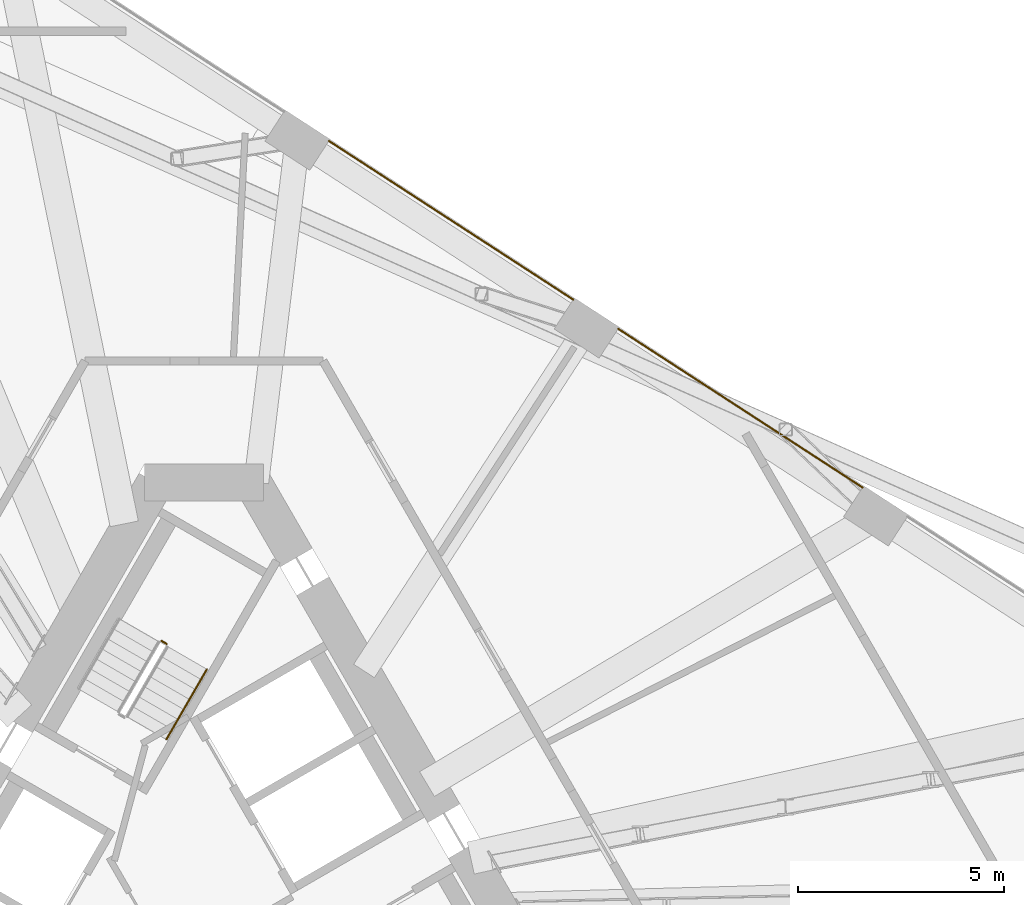
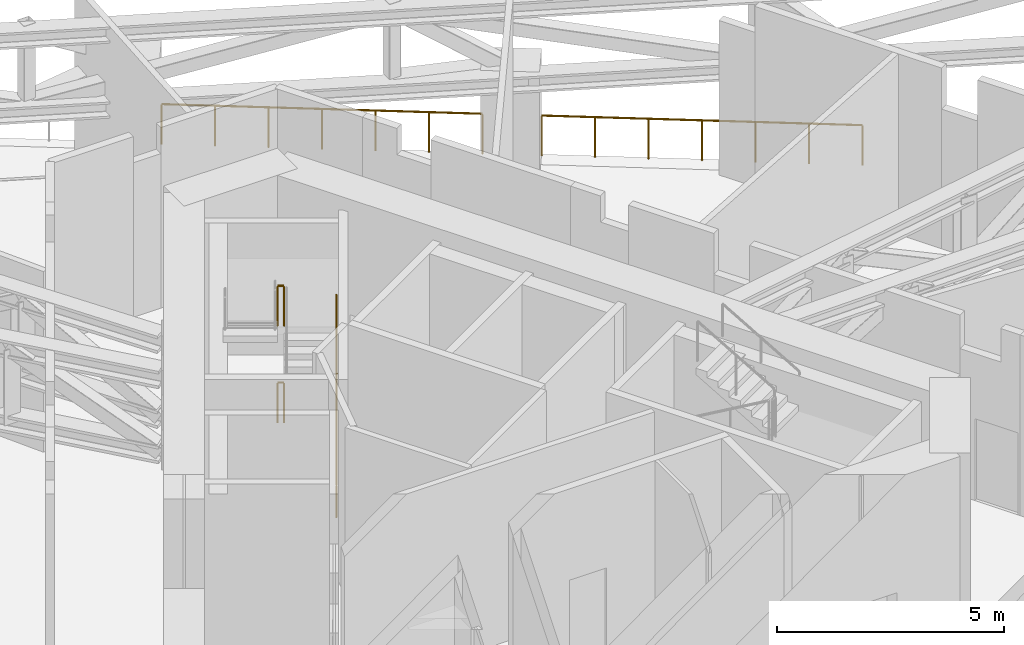
# One storey, part 25 of 26: 6 railings.
"""IFC4 building model written with IfcOpenShell, lengths in metres."""

from ifc_helpers import new_model, si_unit, direction, frame, origin, origin_2d, place, context, subcontext, project, spatial, circle, extrude, material, type_object, element, save


model = new_model("IFC4")

# Units and contexts
model_context = context("Model", 3, precision=1e-05, world=origin(), true_north=direction((0.0, 1.0)))
body_context = subcontext(model_context, "Body", "Model", "MODEL_VIEW")
ifc_project = project(units=[si_unit("LENGTHUNIT", "METRE"), si_unit("AREAUNIT", "SQUARE_METRE"), si_unit("VOLUMEUNIT", "CUBIC_METRE"), si_unit("PLANEANGLEUNIT", "RADIAN"), si_unit("MASSUNIT", "GRAM", prefix="KILO")], contexts=[model_context])

# Site, building, storey
site_placement = place(None, origin())
site = spatial("IfcSite", under=ifc_project, at=site_placement, CompositionType="ELEMENT")
building_placement = place(site_placement, origin())
building = spatial("IfcBuilding", under=site, at=building_placement, Name="Tramontana Tower", CompositionType="ELEMENT")
storey_placement = place(building_placement, frame((0.0, 0.0, 157.60009765625)))
storey = spatial("IfcBuildingStorey", under=building, at=storey_placement, Name="L36", CompositionType="ELEMENT", Elevation=157.60009765625)

# Railings
ifc_material_1 = material(Name="Stainless steel rail and posts", Category="steel")
railing_type_1 = type_object("IfcRailingType", Name="GD2 Terrace guard 1100", PredefinedType="GUARDRAIL", material=ifc_material_1)
railing_1_placement = place(storey_placement, frame((8.958740234375, 14.98876953125, 0.0)))
element("IfcRailing", 1, at=railing_1_placement, inside=storey, type_object=railing_type_1, Name="Edge guard L36 14", PredefinedType="GUARDRAIL", context=body_context, shape_type="SweptSolid", body=[
    extrude(circle(Radius=0.02392578125, at=origin_2d()), frame((0.0, 0.0, 1.076171875), z_axis=(-0.838661251934, 0.544653380146, 0.0), x_axis=(-0.544653380146, -0.838661251934, 0.0)), (0.0, 0.0, 1.0), 7.071533203125),
    extrude(circle(Radius=0.02099609375, at=origin_2d()), origin(), (0.0, 0.0, 1.0), 1.052001953125),
    extrude(circle(Radius=0.02099609375, at=origin_2d()), frame((-0.988525390625, 0.641845703125, 0.0)), (0.0, 0.0, 1.0), 1.052001953125),
    extrude(circle(Radius=0.02099609375, at=origin_2d()), frame((-1.976806640625, 1.283935546875, 0.0)), (0.0, 0.0, 1.0), 1.052001953125),
    extrude(circle(Radius=0.02099609375, at=origin_2d()), frame((-2.96533203125, 1.92578125, 0.0)), (0.0, 0.0, 1.0), 1.052001953125),
    extrude(circle(Radius=0.02099609375, at=origin_2d()), frame((-3.953857421875, 2.567626953125, 0.0)), (0.0, 0.0, 1.0), 1.052001953125),
    extrude(circle(Radius=0.02099609375, at=origin_2d()), frame((-4.942138671875, 3.209716796875, 0.0)), (0.0, 0.0, 1.0), 1.052001953125),
    extrude(circle(Radius=0.02099609375, at=origin_2d()), frame((-5.9306640625, 3.8515625, 0.0)), (0.0, 0.0, 1.0), 1.052001953125),
])
railing_2_placement = place(storey_placement, frame((15.979736328125, 10.429443359375, 0.0)))
element("IfcRailing", 2, at=railing_2_placement, inside=storey, type_object=railing_type_1, Name="Edge guard L36 16", PredefinedType="GUARDRAIL", context=body_context, shape_type="SweptSolid", body=[
    extrude(circle(Radius=0.02392578125, at=origin_2d()), frame((0.0, 0.0, 1.076171875), z_axis=(-0.838677021821, 0.54462909679, 0.0), x_axis=(-0.54462909679, -0.838677021821, 0.0)), (0.0, 0.0, 1.0), 7.071533203125),
    extrude(circle(Radius=0.02099609375, at=origin_2d()), origin(), (0.0, 0.0, 1.0), 1.052001953125),
    extrude(circle(Radius=0.02099609375, at=origin_2d()), frame((-0.988525390625, 0.641845703125, 0.0)), (0.0, 0.0, 1.0), 1.052001953125),
    extrude(circle(Radius=0.02099609375, at=origin_2d()), frame((-1.976806640625, 1.28369140625, 0.0)), (0.0, 0.0, 1.0), 1.052001953125),
    extrude(circle(Radius=0.02099609375, at=origin_2d()), frame((-2.96533203125, 1.92578125, 0.0)), (0.0, 0.0, 1.0), 1.052001953125),
    extrude(circle(Radius=0.02099609375, at=origin_2d()), frame((-3.953857421875, 2.567626953125, 0.0)), (0.0, 0.0, 1.0), 1.052001953125),
    extrude(circle(Radius=0.02099609375, at=origin_2d()), frame((-4.942138671875, 3.20947265625, 0.0)), (0.0, 0.0, 1.0), 1.052001953125),
    extrude(circle(Radius=0.02099609375, at=origin_2d()), frame((-5.9306640625, 3.851318359375, 0.0)), (0.0, 0.0, 1.0), 1.052001953125),
])
ifc_material_2 = material(Name="Painted steel", Category="steel")
railing_type_2 = type_object("IfcRailingType", Name="STAIR GUARD 1100", PredefinedType="GUARDRAIL", material=ifc_material_2)
for number, where, name in (
    (3, (-0.90576171875, 6.63134765625, 1.2998046875), "L36 ST1 stair guard 5"),
    (4, (-0.90576171875, 6.63134765625, 3.89990234375), "L36 ST1 stair guard 7"),
):
    element("IfcRailing", number, at=place(storey_placement, frame(where)), inside=storey, type_object=railing_type_2, Name=name, PredefinedType="GUARDRAIL", context=body_context, shape_type="SweptSolid", body=[
        extrude(circle(Radius=0.02392578125, at=origin_2d()), frame((0.0, 0.0, 1.076171875), z_axis=(-0.866131372301, 0.499816412211, 0.0), x_axis=(-0.499816412211, -0.866131372301, 0.0)), (0.0, 0.0, 1.0), 0.14990234375),
        extrude(circle(Radius=0.02099609375, at=origin_2d()), origin(), (0.0, 0.0, 1.0), 1.052001953125),
        extrude(circle(Radius=0.02099609375, at=origin_2d()), frame((-0.1298828125, 0.074951171875, 0.0)), (0.0, 0.0, 1.0), 1.052001953125),
    ])
ifc_material_3 = material(Name="Painted steel", Category="steel")
railing_type_3 = type_object("IfcRailingType", Name="STAIR HANDRAIL 900", PredefinedType="HANDRAIL", material=ifc_material_3)
for number, where, name in (
    (5, (-0.914794921875, 4.315673828125, 0.162353515625), "L36 ST1 stair handrail 1"),
    (6, (-0.914794921875, 4.315673828125, 2.762451171875), "L36 ST1 stair handrail 3"),
):
    element("IfcRailing", number, at=place(storey_placement, frame(where)), inside=storey, type_object=railing_type_3, Name=name, PredefinedType="HANDRAIL", context=body_context, shape_type="SweptSolid", body=[
        extrude(circle(Radius=0.02392578125, at=origin_2d()), frame((0.0, 0.0, 0.8759765625), z_axis=(0.432466826973, 0.749005824891, 0.501958880634), x_axis=(-0.866011328839, 0.500024377727, 0.0)), (0.0, 0.0, 1.0), 2.26611328125),
        extrude(circle(Radius=0.02099609375, at=origin_2d()), origin(), (0.0, 0.0, 1.0), 0.851806640625),
        extrude(circle(Radius=0.02099609375, at=origin_2d()), frame((0.489990234375, 0.8486328125, 0.56884765625)), (0.0, 0.0, 1.0), 0.851806640625),
        extrude(circle(Radius=0.02099609375, at=origin_2d()), frame((0.97998046875, 1.697265625, 1.137451171875)), (0.0, 0.0, 1.0), 0.851806640625),
    ])

save(model, "model.ifc")
